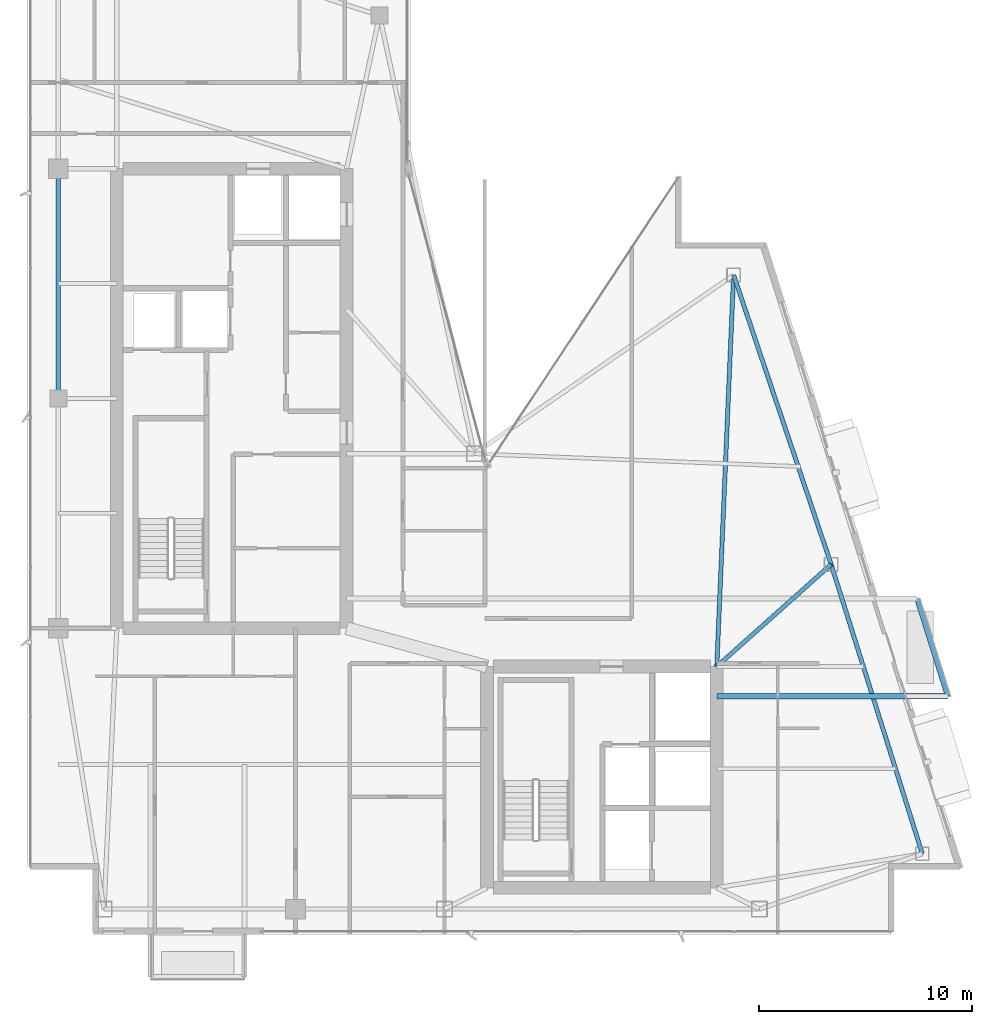
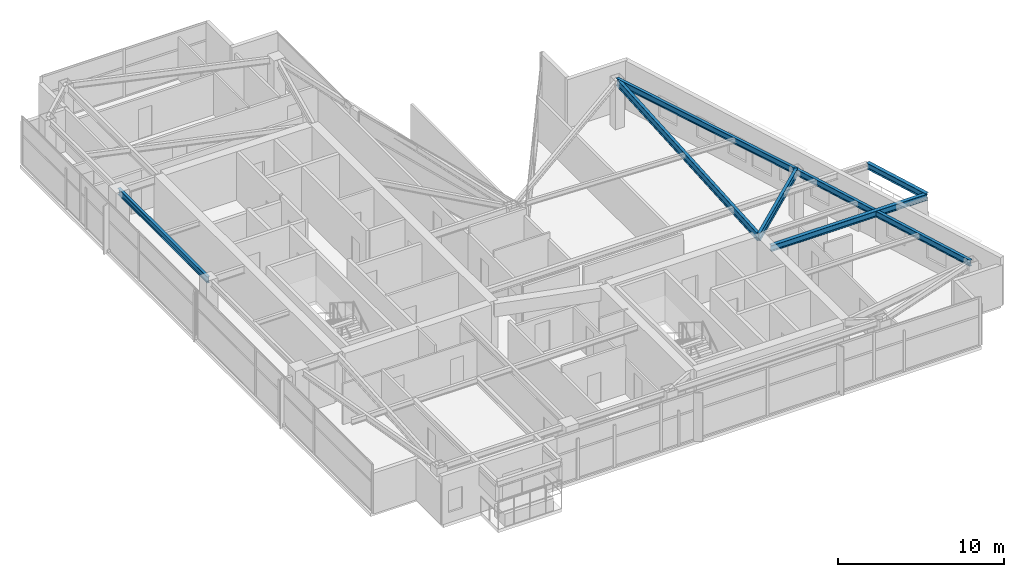
# One storey, part 15 of 28: 7 beams.
"""IFC4 building model written with IfcOpenShell, lengths in metres."""

from ifc_helpers import new_model, si_unit, direction, frame, origin, origin_2d, place, context, subcontext, project, spatial, i_section, extrude, material, material_profile, profile_set, type_object, element, save


model = new_model("IFC4")

# Units and contexts
model_context = context("Model", 3, precision=1e-05, world=origin(), true_north=direction((0.0, 1.0)))
body_context = subcontext(model_context, "Body", "Model", "MODEL_VIEW")
ifc_project = project(units=[si_unit("LENGTHUNIT", "METRE"), si_unit("AREAUNIT", "SQUARE_METRE"), si_unit("VOLUMEUNIT", "CUBIC_METRE"), si_unit("PLANEANGLEUNIT", "RADIAN"), si_unit("MASSUNIT", "GRAM", prefix="KILO")], contexts=[model_context])

# Site, building, storey
site_placement = place(None, origin())
site = spatial("IfcSite", under=ifc_project, at=site_placement, CompositionType="ELEMENT")
building_placement = place(site_placement, origin())
building = spatial("IfcBuilding", under=site, at=building_placement, Name="Calvorn Quay Hotel", CompositionType="ELEMENT")
storey_placement = place(building_placement, frame((0.0, 0.0, 271.10009765625)))
storey = spatial("IfcBuildingStorey", under=building, at=storey_placement, Name="L67", CompositionType="ELEMENT", Elevation=271.10009765625)

# Beams
ifc_material_1 = material(Name="Steel Q355B", Category="steel")
ifc_material_profile_1 = material_profile(ifc_material_1, i_section(OverallWidth=0.25, OverallDepth=0.449951171875, WebThickness=0.011962890625, FlangeThickness=0.01611328125, FilletRadius=0.01611328125, at=origin_2d()), Name="HN450x250x12x16")
ifc_profile_set_1 = profile_set([ifc_material_profile_1], Name="Steel Q355B")
beam_type_1 = type_object("IfcBeamType", Name="BM-CANT-BALC", PredefinedType="BEAM", material=ifc_profile_set_1)
beam_1_placement = place(storey_placement, frame((32.39990234375, 13.60009765625, 3.31494140625), z_axis=(1.0, 0.0, 0.0), x_axis=(0.0, 1.0, 0.0)))
element("IfcBeam", 1, at=beam_1_placement, inside=storey, type_object=beam_type_1, Name="Cantilever Balcony Beam BCB-L68-1A", PredefinedType="BEAM", context=body_context, shape_type="SweptSolid", body=[
    extrude(i_section(OverallWidth=0.25, OverallDepth=0.449951171875, WebThickness=0.011962890625, FlangeThickness=0.01611328125, FilletRadius=0.01611328125, at=origin_2d()), origin(), (0.0, 0.0, 1.0), 10.869140625),
])
beam_2_placement = place(storey_placement, frame((43.26904296875, 13.60009765625, 3.31494140625), z_axis=(-0.300450487966, 0.953797412599, 0.0), x_axis=(-0.953797412599, -0.300450487966, 0.0)))
element("IfcBeam", 2, at=beam_2_placement, inside=storey, type_object=beam_type_1, Name="Beam BCBO-L68-1", PredefinedType="BEAM", context=body_context, shape_type="SweptSolid", body=[
    extrude(i_section(OverallWidth=0.25, OverallDepth=0.449951171875, WebThickness=0.011962890625, FlangeThickness=0.01611328125, FilletRadius=0.01611328125, at=origin_2d()), origin(), (0.0, 0.0, 1.0), 4.82275390625),
])
ifc_material_2 = material(Name="Steel Q355B", Category="steel")
ifc_material_profile_2 = material_profile(ifc_material_2, i_section(OverallWidth=0.199951171875, OverallDepth=0.550048828125, WebThickness=0.010009765625, FlangeThickness=0.01611328125, FilletRadius=0.01806640625, at=origin_2d()), Name="HN550x200x10x16")
ifc_profile_set_2 = profile_set([ifc_material_profile_2], Name="Steel Q355B")
beam_type_2 = type_object("IfcBeamType", Name="BM-GIRD-UPP", PredefinedType="BEAM", material=ifc_profile_set_2)
beam_3_placement = place(storey_placement, frame((32.39990234375, 15.0, 3.264892578125), z_axis=(0.745932853197, 0.66602115471, 0.0), x_axis=(-0.66602115471, 0.745932853197, 0.0)))
element("IfcBeam", 3, at=beam_3_placement, inside=storey, type_object=beam_type_2, Name="Beam BG-L67-E2", PredefinedType="BEAM", context=body_context, shape_type="SweptSolid", body=[
    extrude(i_section(OverallWidth=0.199951171875, OverallDepth=0.550048828125, WebThickness=0.010009765625, FlangeThickness=0.01611328125, FilletRadius=0.01806640625, at=origin_2d()), origin(), (0.0, 0.0, 1.0), 7.20703125),
])
beam_4_placement = place(storey_placement, frame((32.39990234375, 15.0, 3.264892578125), z_axis=(0.042950536419, 0.999077199931, 0.0), x_axis=(-0.999077199931, 0.042950536419, 0.0)))
element("IfcBeam", 4, at=beam_4_placement, inside=storey, type_object=beam_type_2, Name="Beam BG-L67-E3", PredefinedType="BEAM", context=body_context, shape_type="SweptSolid", body=[
    extrude(i_section(OverallWidth=0.199951171875, OverallDepth=0.550048828125, WebThickness=0.010009765625, FlangeThickness=0.01611328125, FilletRadius=0.01806640625, at=origin_2d()), origin(), (0.0, 0.0, 1.0), 18.4169921875),
])
ifc_material_3 = material(Name="Steel Q355B", Category="steel")
ifc_material_profile_3 = material_profile(ifc_material_3, i_section(OverallWidth=0.199951171875, OverallDepth=0.449951171875, WebThickness=0.009033203125, FlangeThickness=0.013916015625, FilletRadius=0.01611328125, at=origin_2d()), Name="HN450x200x9x14")
ifc_profile_set_3 = profile_set([ifc_material_profile_3], Name="Steel Q355B")
beam_type_3 = type_object("IfcBeamType", Name="BM-SPANDREL-Z3", PredefinedType="SPANDREL", material=ifc_profile_set_3)
beam_5_placement = place(storey_placement, frame((1.449951171875, 27.60009765625, 3.31494140625), z_axis=(0.0, 1.0, 0.0), x_axis=(-1.0, 0.0, 0.0)))
element("IfcBeam", 5, at=beam_5_placement, inside=storey, type_object=beam_type_3, Name="Beam BSP-L67-W3", PredefinedType="SPANDREL", context=body_context, shape_type="SweptSolid", body=[
    extrude(i_section(OverallWidth=0.199951171875, OverallDepth=0.449951171875, WebThickness=0.009033203125, FlangeThickness=0.013916015625, FilletRadius=0.01611328125, at=origin_2d()), origin(), (0.0, 0.0, 1.0), 10.7998046875),
])
beam_6_placement = place(storey_placement, frame((42.06103515625, 6.199951171875, 3.31494140625), z_axis=(-0.300518378216, 0.953776024208, 0.0), x_axis=(-0.953776024208, -0.300518378216, 0.0)))
element("IfcBeam", 6, at=beam_6_placement, inside=storey, type_object=beam_type_3, Name="Beam BSP-L67-E1", PredefinedType="SPANDREL", context=body_context, shape_type="SweptSolid", body=[
    extrude(i_section(OverallWidth=0.199951171875, OverallDepth=0.449951171875, WebThickness=0.009033203125, FlangeThickness=0.013916015625, FilletRadius=0.01611328125, at=origin_2d()), origin(), (0.0, 0.0, 1.0), 14.25927734375),
])
beam_7_placement = place(storey_placement, frame((37.77587890625, 19.800048828125, 3.31494140625), z_axis=(-0.319466515944, 0.947597564998, 0.0), x_axis=(-0.947597564998, -0.319466515944, 0.0)))
element("IfcBeam", 7, at=beam_7_placement, inside=storey, type_object=beam_type_3, Name="Beam BSP-L67-E2", PredefinedType="SPANDREL", context=body_context, shape_type="SweptSolid", body=[
    extrude(i_section(OverallWidth=0.199951171875, OverallDepth=0.449951171875, WebThickness=0.009033203125, FlangeThickness=0.013916015625, FilletRadius=0.01611328125, at=origin_2d()), origin(), (0.0, 0.0, 1.0), 14.35205078125),
])

save(model, "model.ifc")
